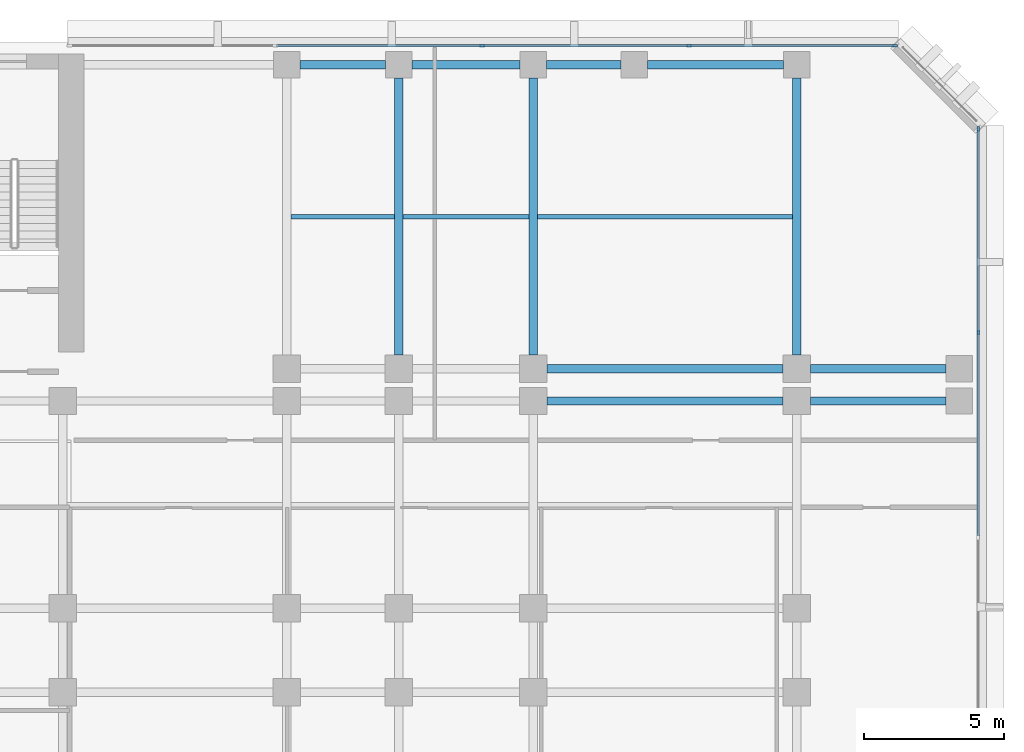
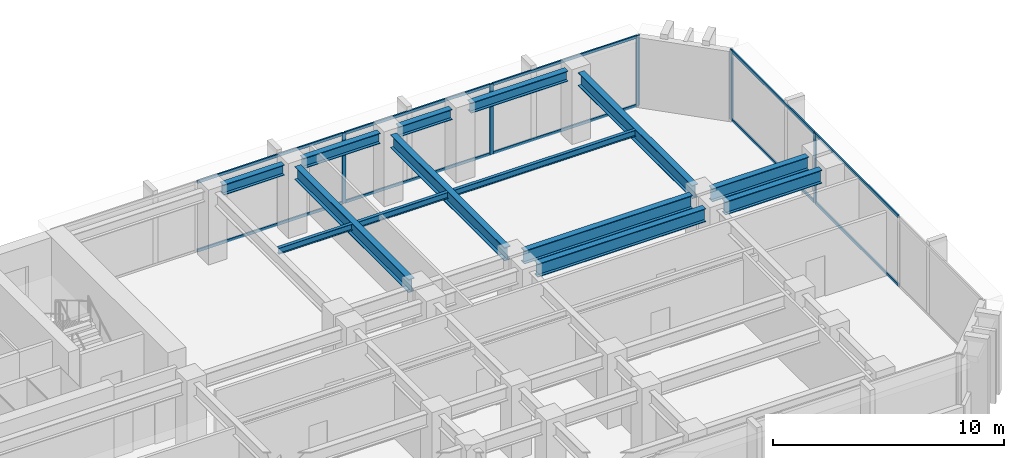
# One storey, part 5 of 14: 15 members, 14 beams, 2 elements without a shape of their own.
"""IFC4 building model written with IfcOpenShell, lengths in metres."""

from ifc_helpers import new_model, si_unit, direction, frame, origin, origin_2d, place, context, subcontext, project, spatial, rectangle, i_section, extrude, material, layer, layer_set, material_profile, profile_set, type_object, element, aggregate, save


model = new_model("IFC4")

# Units and contexts
model_context = context("Model", 3, precision=1e-05, world=origin(), true_north=direction((0.0, 1.0)))
body_context = subcontext(model_context, "Body", "Model", "MODEL_VIEW")
ifc_project = project(units=[si_unit("LENGTHUNIT", "METRE"), si_unit("AREAUNIT", "SQUARE_METRE"), si_unit("VOLUMEUNIT", "CUBIC_METRE"), si_unit("PLANEANGLEUNIT", "RADIAN"), si_unit("MASSUNIT", "GRAM", prefix="KILO")], contexts=[model_context])

# Site, building, storey
site_placement = place(None, origin())
site = spatial("IfcSite", under=ifc_project, at=site_placement, CompositionType="ELEMENT")
building_placement = place(site_placement, origin())
building = spatial("IfcBuilding", under=site, at=building_placement, Name="Kefirva Bronze Tower", CompositionType="ELEMENT")
storey_placement = place(building_placement, frame((0.0, 0.0, 50.159912109375)))
storey = spatial("IfcBuildingStorey", under=building, at=storey_placement, Name="L11", CompositionType="ELEMENT", Elevation=50.159912109375)

# Curtain wall, members
ifc_material_1 = material(Name="Bronze anodised aluminium", Category="aluminium")
ifc_layer = layer(ifc_material_1, 0.199951171875, Name="Bronze anodised aluminium")
ifc_layer_set = layer_set([ifc_layer], Name="Bronze anodised aluminium")
curtain_wall_type = type_object("IfcCurtainWallType", Name="Unitised Bronze Ribbon Curtain Wall Zone 1", PredefinedType="USERDEFINED", material=ifc_layer_set)
curtain_wall_1_placement = place(storey_placement, origin())
curtain_wall_1 = element("IfcCurtainWall", 1, at=curtain_wall_1_placement, inside=storey, type_object=curtain_wall_type, Name="L11 Curtain Wall 2", ObjectType="UNITISED CURTAIN WALL", PredefinedType="USERDEFINED")
ifc_material_profile_1 = material_profile(ifc_material_1, rectangle(XDim=0.074951171875, YDim=0.179931640625, at=origin_2d()), Name="ALU 75x180")
ifc_profile_set_1 = profile_set([ifc_material_profile_1], Name="Bronze anodised aluminium")
member_type_1 = type_object("IfcMemberType", Name="Bronze Mullion 75x180", PredefinedType="MULLION", material=ifc_profile_set_1)
member_1_placement = place(storey_placement, frame((55.8798828125, 35.6484375, 0.0), z_axis=(0.0, 0.0, 1.0), x_axis=(-1.0, 0.0, 0.0)))
member_1 = element("IfcMember", 2, at=member_1_placement, type_object=member_type_1, Name="CW-01 mullion 3", PredefinedType="MULLION", context=body_context, shape_type="SweptSolid", body=[
    extrude(rectangle(XDim=0.074951171875, YDim=0.179931640625, at=origin_2d()), origin(), (0.0, 0.0, 1.0), 3.710205078125),
])
member_2_placement = place(storey_placement, frame((55.8798828125, 42.907470703125, 0.0), z_axis=(0.0, 0.0, 1.0), x_axis=(-1.0, 0.0, 0.0)))
member_2 = element("IfcMember", 3, at=member_2_placement, type_object=member_type_1, Name="CW-01 mullion 4", PredefinedType="MULLION", context=body_context, shape_type="SweptSolid", body=[
    extrude(rectangle(XDim=0.074951171875, YDim=0.179931640625, at=origin_2d()), origin(), (0.0, 0.0, 1.0), 3.710205078125),
])

curtain_wall_2_placement = place(storey_placement, origin())
curtain_wall_2 = element("IfcCurtainWall", 4, at=curtain_wall_2_placement, inside=storey, type_object=curtain_wall_type, Name="L11 Curtain Wall 3", ObjectType="UNITISED CURTAIN WALL", PredefinedType="USERDEFINED")
member_3_placement = place(storey_placement, frame((52.907470703125, 45.8798828125, 0.0), z_axis=(0.0, 0.0, 1.0), x_axis=(0.0, -1.0, 0.0)))
member_3 = element("IfcMember", 5, at=member_3_placement, type_object=member_type_1, Name="CW-01 mullion 1", PredefinedType="MULLION", context=body_context, shape_type="SweptSolid", body=[
    extrude(rectangle(XDim=0.074951171875, YDim=0.179931640625, at=origin_2d()), origin(), (0.0, 0.0, 1.0), 3.710205078125),
])
member_4_placement = place(storey_placement, frame((45.56005859375, 45.8798828125, 0.0), z_axis=(0.0, 0.0, 1.0), x_axis=(0.0, -1.0, 0.0)))
member_4 = element("IfcMember", 6, at=member_4_placement, type_object=member_type_1, Name="CW-01 mullion 2", PredefinedType="MULLION", context=body_context, shape_type="SweptSolid", body=[
    extrude(rectangle(XDim=0.074951171875, YDim=0.179931640625, at=origin_2d()), origin(), (0.0, 0.0, 1.0), 3.710205078125),
])
member_5_placement = place(storey_placement, frame((38.175048828125, 45.8798828125, 0.0), z_axis=(0.0, 0.0, 1.0), x_axis=(0.0, -1.0, 0.0)))
member_5 = element("IfcMember", 7, at=member_5_placement, type_object=member_type_1, Name="CW-01 mullion 3", PredefinedType="MULLION", context=body_context, shape_type="SweptSolid", body=[
    extrude(rectangle(XDim=0.074951171875, YDim=0.179931640625, at=origin_2d()), origin(), (0.0, 0.0, 1.0), 3.710205078125),
])

# Member
ifc_material_profile_2 = material_profile(ifc_material_1, rectangle(XDim=0.074951171875, YDim=0.14990234375, at=origin_2d()), Name="ALU 75x150")
ifc_profile_set_2 = profile_set([ifc_material_profile_2], Name="Bronze anodised aluminium")
member_type_2 = type_object("IfcMemberType", Name="Bronze Transom 75x150", PredefinedType="USERDEFINED", material=ifc_profile_set_2)
member_6_placement = place(storey_placement, frame((55.8798828125, 28.38916015625, 0.03759765625), z_axis=(0.0, 1.0, 0.0), x_axis=(-1.0, 0.0, 0.0)))
member_6 = element("IfcMember", 8, at=member_6_placement, type_object=member_type_2, Name="CW-01 transom 2.1", ObjectType="TRANSOM", PredefinedType="USERDEFINED", context=body_context, shape_type="SweptSolid", body=[
    extrude(rectangle(XDim=0.074951171875, YDim=0.14990234375, at=origin_2d()), origin(), (0.0, 0.0, 1.0), 7.2216796875),
])

member_7_placement = place(storey_placement, frame((55.8798828125, 28.38916015625, 3.672607421875), z_axis=(0.0, 1.0, 0.0), x_axis=(-1.0, 0.0, 0.0)))
member_7 = element("IfcMember", 9, at=member_7_placement, type_object=member_type_2, Name="CW-01 transom 2.2", ObjectType="TRANSOM", PredefinedType="USERDEFINED", context=body_context, shape_type="SweptSolid", body=[
    extrude(rectangle(XDim=0.074951171875, YDim=0.14990234375, at=origin_2d()), origin(), (0.0, 0.0, 1.0), 7.2216796875),
])

member_8_placement = place(storey_placement, frame((55.8798828125, 35.685791015625, 0.03759765625), z_axis=(0.0, 1.0, 0.0), x_axis=(-1.0, 0.0, 0.0)))
member_8 = element("IfcMember", 10, at=member_8_placement, type_object=member_type_2, Name="CW-01 transom 3.1", ObjectType="TRANSOM", PredefinedType="USERDEFINED", context=body_context, shape_type="SweptSolid", body=[
    extrude(rectangle(XDim=0.074951171875, YDim=0.14990234375, at=origin_2d()), origin(), (0.0, 0.0, 1.0), 7.184326171875),
])

member_9_placement = place(storey_placement, frame((55.8798828125, 35.685791015625, 3.672607421875), z_axis=(0.0, 1.0, 0.0), x_axis=(-1.0, 0.0, 0.0)))
member_9 = element("IfcMember", 11, at=member_9_placement, type_object=member_type_2, Name="CW-01 transom 3.2", ObjectType="TRANSOM", PredefinedType="USERDEFINED", context=body_context, shape_type="SweptSolid", body=[
    extrude(rectangle(XDim=0.074951171875, YDim=0.14990234375, at=origin_2d()), origin(), (0.0, 0.0, 1.0), 7.184326171875),
])

aggregate(curtain_wall_1, [member_1, member_2, member_6, member_7, member_8, member_9])

member_10_placement = place(storey_placement, frame((52.8701171875, 45.8798828125, 0.03759765625), z_axis=(-1.0, 0.0, 0.0), x_axis=(0.0, -1.0, 0.0)))
member_10 = element("IfcMember", 12, at=member_10_placement, type_object=member_type_2, Name="CW-01 transom 1.1", ObjectType="TRANSOM", PredefinedType="USERDEFINED", context=body_context, shape_type="SweptSolid", body=[
    extrude(rectangle(XDim=0.074951171875, YDim=0.14990234375, at=origin_2d()), origin(), (0.0, 0.0, 1.0), 7.272705078125),
])

member_11_placement = place(storey_placement, frame((52.8701171875, 45.8798828125, 3.672607421875), z_axis=(-1.0, 0.0, 0.0), x_axis=(0.0, -1.0, 0.0)))
member_11 = element("IfcMember", 13, at=member_11_placement, type_object=member_type_2, Name="CW-01 transom 1.2", ObjectType="TRANSOM", PredefinedType="USERDEFINED", context=body_context, shape_type="SweptSolid", body=[
    extrude(rectangle(XDim=0.074951171875, YDim=0.14990234375, at=origin_2d()), origin(), (0.0, 0.0, 1.0), 7.272705078125),
])

member_12_placement = place(storey_placement, frame((45.5224609375, 45.8798828125, 0.03759765625), z_axis=(-1.0, 0.0, 0.0), x_axis=(0.0, -1.0, 0.0)))
member_12 = element("IfcMember", 14, at=member_12_placement, type_object=member_type_2, Name="CW-01 transom 2.1", ObjectType="TRANSOM", PredefinedType="USERDEFINED", context=body_context, shape_type="SweptSolid", body=[
    extrude(rectangle(XDim=0.074951171875, YDim=0.14990234375, at=origin_2d()), origin(), (0.0, 0.0, 1.0), 7.31005859375),
])

member_13_placement = place(storey_placement, frame((45.5224609375, 45.8798828125, 3.672607421875), z_axis=(-1.0, 0.0, 0.0), x_axis=(0.0, -1.0, 0.0)))
member_13 = element("IfcMember", 15, at=member_13_placement, type_object=member_type_2, Name="CW-01 transom 2.2", ObjectType="TRANSOM", PredefinedType="USERDEFINED", context=body_context, shape_type="SweptSolid", body=[
    extrude(rectangle(XDim=0.074951171875, YDim=0.14990234375, at=origin_2d()), origin(), (0.0, 0.0, 1.0), 7.31005859375),
])

member_14_placement = place(storey_placement, frame((38.137451171875, 45.8798828125, 0.03759765625), z_axis=(-1.0, 0.0, 0.0), x_axis=(0.0, -1.0, 0.0)))
member_14 = element("IfcMember", 16, at=member_14_placement, type_object=member_type_2, Name="CW-01 transom 3.1", ObjectType="TRANSOM", PredefinedType="USERDEFINED", context=body_context, shape_type="SweptSolid", body=[
    extrude(rectangle(XDim=0.074951171875, YDim=0.14990234375, at=origin_2d()), origin(), (0.0, 0.0, 1.0), 7.31005859375),
])

member_15_placement = place(storey_placement, frame((38.137451171875, 45.8798828125, 3.672607421875), z_axis=(-1.0, 0.0, 0.0), x_axis=(0.0, -1.0, 0.0)))
member_15 = element("IfcMember", 17, at=member_15_placement, type_object=member_type_2, Name="CW-01 transom 3.2", ObjectType="TRANSOM", PredefinedType="USERDEFINED", context=body_context, shape_type="SweptSolid", body=[
    extrude(rectangle(XDim=0.074951171875, YDim=0.14990234375, at=origin_2d()), origin(), (0.0, 0.0, 1.0), 7.31005859375),
])

aggregate(curtain_wall_2, [member_3, member_4, member_5, member_10, member_11, member_12, member_13, member_14, member_15])

# Beams
ifc_material_2 = material(Name="Steel S355", Category="steel")
ifc_material_profile_3 = material_profile(ifc_material_2, i_section(OverallWidth=0.159912109375, OverallDepth=0.330078125, WebThickness=0.007568359375, FlangeThickness=0.011474609375, at=origin_2d()), Name="IPE 330")
ifc_profile_set_3 = profile_set([ifc_material_profile_3], Name="Steel S355")
beam_type_1 = type_object("IfcBeamType", Name="Steel Floor Joist IPE 330", PredefinedType="JOIST", material=ifc_profile_set_3)
beam_1_placement = place(storey_placement, frame((31.35009765625, 39.784912109375, 3.545166015625), z_axis=(1.0, 0.0, 0.0), x_axis=(0.0, 1.0, 0.0)))
element("IfcBeam", 18, at=beam_1_placement, inside=storey, type_object=beam_type_1, Name="L11 JST-L11-31-397", PredefinedType="JOIST", context=body_context, shape_type="SweptSolid", body=[
    extrude(i_section(OverallWidth=0.159912109375, OverallDepth=0.330078125, WebThickness=0.007568359375, FlangeThickness=0.011474609375, at=origin_2d()), origin(), (0.0, 0.0, 1.0), 3.699951171875),
])
beam_2_placement = place(storey_placement, frame((35.35009765625, 39.784912109375, 3.545166015625), z_axis=(1.0, 0.0, 0.0), x_axis=(0.0, 1.0, 0.0)))
element("IfcBeam", 19, at=beam_2_placement, inside=storey, type_object=beam_type_1, Name="L11 JST-L11-35-397", PredefinedType="JOIST", context=body_context, shape_type="SweptSolid", body=[
    extrude(i_section(OverallWidth=0.159912109375, OverallDepth=0.330078125, WebThickness=0.007568359375, FlangeThickness=0.011474609375, at=origin_2d()), origin(), (0.0, 0.0, 1.0), 4.5),
])
beam_3_placement = place(storey_placement, frame((40.14990234375, 39.784912109375, 3.545166015625), z_axis=(1.0, 0.0, 0.0), x_axis=(0.0, 1.0, 0.0)))
element("IfcBeam", 20, at=beam_3_placement, inside=storey, type_object=beam_type_1, Name="L11 JST-L11-40-397", PredefinedType="JOIST", context=body_context, shape_type="SweptSolid", body=[
    extrude(i_section(OverallWidth=0.159912109375, OverallDepth=0.330078125, WebThickness=0.007568359375, FlangeThickness=0.011474609375, at=origin_2d()), origin(), (0.0, 0.0, 1.0), 9.10009765625),
])
ifc_material_profile_4 = material_profile(ifc_material_2, i_section(OverallWidth=0.300048828125, OverallDepth=0.699951171875, WebThickness=0.01708984375, FlangeThickness=0.031982421875, at=origin_2d()), Name="HEB 700")
ifc_profile_set_4 = profile_set([ifc_material_profile_4], Name="Steel S355")
beam_type_2 = type_object("IfcBeamType", Name="Steel Girder HEB 700", PredefinedType="USERDEFINED", material=ifc_profile_set_4)
beam_4_placement = place(storey_placement, frame((40.489990234375, 33.199951171875, 3.360107421875), z_axis=(1.0, 0.0, 0.0), x_axis=(0.0, 1.0, 0.0)))
element("IfcBeam", 21, at=beam_4_placement, inside=storey, type_object=beam_type_2, Name="L11 BM-L11-EW-40-332", ObjectType="GIRDER", PredefinedType="USERDEFINED", context=body_context, shape_type="SweptSolid", body=[
    extrude(i_section(OverallWidth=0.300048828125, OverallDepth=0.699951171875, WebThickness=0.01708984375, FlangeThickness=0.031982421875, at=origin_2d()), origin(), (0.0, 0.0, 1.0), 8.419921875),
])
beam_5_placement = place(storey_placement, frame((49.889892578125, 33.199951171875, 3.360107421875), z_axis=(1.0, 0.0, 0.0), x_axis=(0.0, 1.0, 0.0)))
element("IfcBeam", 22, at=beam_5_placement, inside=storey, type_object=beam_type_2, Name="L11 BM-L11-EW-49-332", ObjectType="GIRDER", PredefinedType="USERDEFINED", context=body_context, shape_type="SweptSolid", body=[
    extrude(i_section(OverallWidth=0.300048828125, OverallDepth=0.699951171875, WebThickness=0.01708984375, FlangeThickness=0.031982421875, at=origin_2d()), origin(), (0.0, 0.0, 1.0), 4.840087890625),
])
beam_6_placement = place(storey_placement, frame((40.489990234375, 34.35009765625, 3.360107421875), z_axis=(1.0, 0.0, 0.0), x_axis=(0.0, 1.0, 0.0)))
element("IfcBeam", 23, at=beam_6_placement, inside=storey, type_object=beam_type_2, Name="L11 BM-L11-EW-40-344", ObjectType="GIRDER", PredefinedType="USERDEFINED", context=body_context, shape_type="SweptSolid", body=[
    extrude(i_section(OverallWidth=0.300048828125, OverallDepth=0.699951171875, WebThickness=0.01708984375, FlangeThickness=0.031982421875, at=origin_2d()), origin(), (0.0, 0.0, 1.0), 8.419921875),
])
beam_7_placement = place(storey_placement, frame((49.889892578125, 34.35009765625, 3.360107421875), z_axis=(1.0, 0.0, 0.0), x_axis=(0.0, 1.0, 0.0)))
element("IfcBeam", 24, at=beam_7_placement, inside=storey, type_object=beam_type_2, Name="L11 BM-L11-EW-49-344", ObjectType="GIRDER", PredefinedType="USERDEFINED", context=body_context, shape_type="SweptSolid", body=[
    extrude(i_section(OverallWidth=0.300048828125, OverallDepth=0.699951171875, WebThickness=0.01708984375, FlangeThickness=0.031982421875, at=origin_2d()), origin(), (0.0, 0.0, 1.0), 4.840087890625),
])
for number, where, z_axis, x_axis, name in (
    (25, (35.199951171875, 34.840087890625, 3.360107421875), (0.0, 1.0, 0.0), (-1.0, 0.0, 0.0), "L11 BM-L11-NS-352-34"),
    (26, (40.0, 34.840087890625, 3.360107421875), (0.0, 1.0, 0.0), (-1.0, 0.0, 0.0), "L11 BM-L11-NS-400-34"),
    (27, (49.39990234375, 34.840087890625, 3.360107421875), (0.0, 1.0, 0.0), (-1.0, 0.0, 0.0), "L11 BM-L11-NS-494-34"),
):
    element("IfcBeam", number, at=place(storey_placement, frame(where, z_axis=z_axis, x_axis=x_axis)), inside=storey, type_object=beam_type_2, Name=name, ObjectType="GIRDER", PredefinedType="USERDEFINED", context=body_context, shape_type="SweptSolid", body=[
        extrude(i_section(OverallWidth=0.300048828125, OverallDepth=0.699951171875, WebThickness=0.01708984375, FlangeThickness=0.031982421875, at=origin_2d()), origin(), (0.0, 0.0, 1.0), 9.889892578125),
    ])
ifc_material_profile_5 = material_profile(ifc_material_2, i_section(OverallWidth=0.300048828125, OverallDepth=0.550048828125, WebThickness=0.014892578125, FlangeThickness=0.029052734375, at=origin_2d()), Name="HEB 550")
ifc_profile_set_5 = profile_set([ifc_material_profile_5], Name="Steel S355")
beam_type_3 = type_object("IfcBeamType", Name="Steel Spandrel HEB 550 Ext", PredefinedType="SPANDREL", material=ifc_profile_set_5)
beam_8_placement = place(storey_placement, frame((31.669921875, 45.199951171875, 3.43505859375), z_axis=(1.0, 0.0, 0.0), x_axis=(0.0, 1.0, 0.0)))
element("IfcBeam", 28, at=beam_8_placement, inside=storey, type_object=beam_type_3, Name="L11 BM-L11-EW-31-452", PredefinedType="SPANDREL", context=body_context, shape_type="SweptSolid", body=[
    extrude(i_section(OverallWidth=0.300048828125, OverallDepth=0.550048828125, WebThickness=0.014892578125, FlangeThickness=0.029052734375, at=origin_2d()), origin(), (0.0, 0.0, 1.0), 3.06005859375),
])
beam_9_placement = place(storey_placement, frame((35.669921875, 45.199951171875, 3.43505859375), z_axis=(1.0, 0.0, 0.0), x_axis=(0.0, 1.0, 0.0)))
element("IfcBeam", 29, at=beam_9_placement, inside=storey, type_object=beam_type_3, Name="L11 BM-L11-EW-35-452", PredefinedType="SPANDREL", context=body_context, shape_type="SweptSolid", body=[
    extrude(i_section(OverallWidth=0.300048828125, OverallDepth=0.550048828125, WebThickness=0.014892578125, FlangeThickness=0.029052734375, at=origin_2d()), origin(), (0.0, 0.0, 1.0), 3.860107421875),
])
beam_10_placement = place(storey_placement, frame((40.469970703125, 45.199951171875, 3.43505859375), z_axis=(1.0, 0.0, 0.0), x_axis=(0.0, 1.0, 0.0)))
element("IfcBeam", 30, at=beam_10_placement, inside=storey, type_object=beam_type_3, Name="L11 BM-L11-EW-40-452", PredefinedType="SPANDREL", context=body_context, shape_type="SweptSolid", body=[
    extrude(i_section(OverallWidth=0.300048828125, OverallDepth=0.550048828125, WebThickness=0.014892578125, FlangeThickness=0.029052734375, at=origin_2d()), origin(), (0.0, 0.0, 1.0), 2.659912109375),
])
beam_11_placement = place(storey_placement, frame((44.070068359375, 45.199951171875, 3.43505859375), z_axis=(1.0, 0.0, 0.0), x_axis=(0.0, 1.0, 0.0)))
element("IfcBeam", 31, at=beam_11_placement, inside=storey, type_object=beam_type_3, Name="L11 BM-L11-EW-43-452", PredefinedType="SPANDREL", context=body_context, shape_type="SweptSolid", body=[
    extrude(i_section(OverallWidth=0.300048828125, OverallDepth=0.550048828125, WebThickness=0.014892578125, FlangeThickness=0.029052734375, at=origin_2d()), origin(), (0.0, 0.0, 1.0), 4.85986328125),
])

save(model, "model.ifc")
